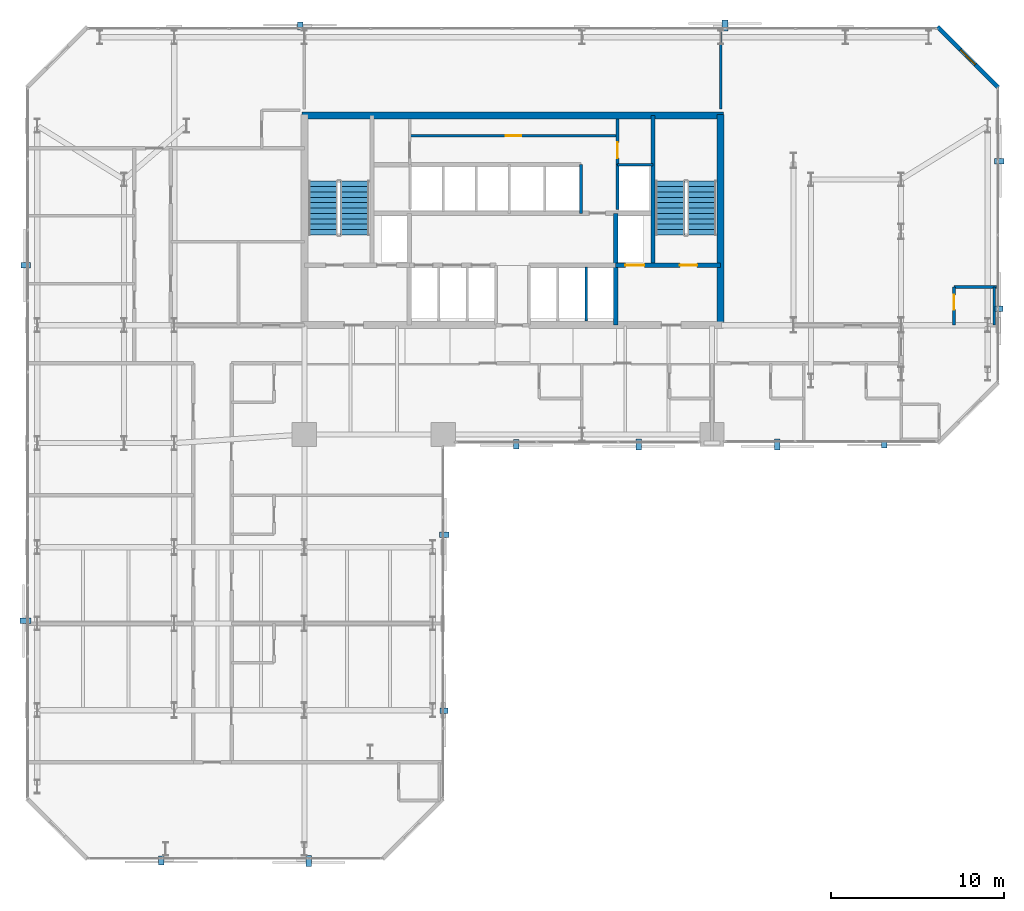
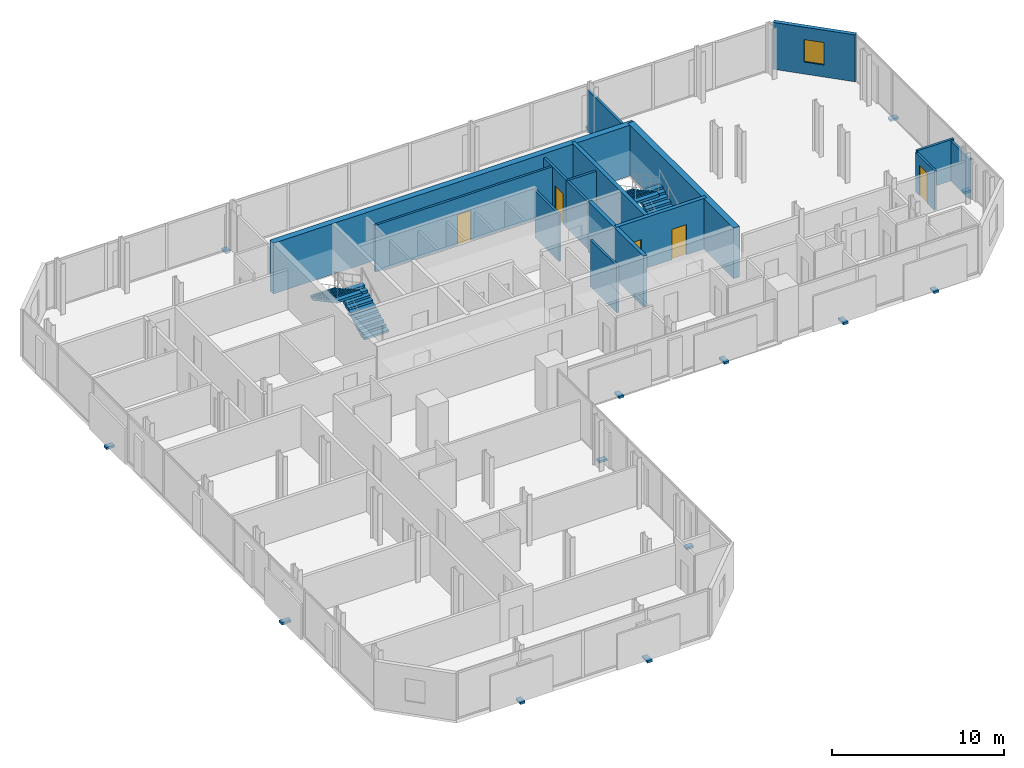
# One storey, part 30 of 32: 16 walls, 14 discrete accessories, 5 doors, 4 stair flights, 1 window, 6 openings, 2 elements without a shape of their own.
"""IFC4 building model written with IfcOpenShell, lengths in metres."""

from ifc_helpers import new_model, si_unit, direction, frame, frame_2d, origin, origin_2d, place, context, subcontext, project, spatial, polyline, rectangle, outline, extrude, material, layer, layer_set, type_object, element, fill, aggregate, save


model = new_model("IFC4")

# Units and contexts
model_context = context("Model", 3, precision=1e-05, world=origin(), true_north=direction((0.0, 1.0)))
body_context = subcontext(model_context, "Body", "Model", "MODEL_VIEW")
ifc_project = project(units=[si_unit("LENGTHUNIT", "METRE"), si_unit("AREAUNIT", "SQUARE_METRE"), si_unit("VOLUMEUNIT", "CUBIC_METRE"), si_unit("PLANEANGLEUNIT", "RADIAN"), si_unit("MASSUNIT", "GRAM", prefix="KILO")], contexts=[model_context])

# Site, building, storey
site_placement = place(None, origin())
site = spatial("IfcSite", under=ifc_project, at=site_placement, CompositionType="ELEMENT")
building_placement = place(site_placement, origin())
building = spatial("IfcBuilding", under=site, at=building_placement, Name="Catumbela Crestline Tower", CompositionType="ELEMENT")
storey_placement = place(building_placement, frame((0.0, 0.0, 61.8)))
storey = spatial("IfcBuildingStorey", under=building, at=storey_placement, Name="L15", CompositionType="ELEMENT", Elevation=61.8)

# Walls
ifc_material_1 = material(Name="Concrete C50/60", Category="concrete")
ifc_layer_1 = layer(ifc_material_1, 0.25, Name="Concrete C50/60")
ifc_layer_set_1 = layer_set([ifc_layer_1], Name="Concrete C50/60")
wall_type_1 = type_object("IfcWallType", Name="CW-250D", PredefinedType="SHEAR", material=ifc_layer_set_1)
wall_1_placement = place(storey_placement, frame((36.1, 34.25, 0.0), z_axis=(0.0, 0.0, 1.0), x_axis=(0.0, 1.0, 0.0)))
element("IfcWall", 1, at=wall_1_placement, inside=storey, type_object=wall_type_1, Name="L15 Structural Core Shear Wall EWEB", PredefinedType="SHEAR", context=body_context, shape_type="SweptSolid", body=[
    extrude(rectangle(XDim=8.65, YDim=0.25, at=frame_2d((4.325, 0.0))), origin(), (0.0, 0.0, 1.0), 3.6),
])
wall_2_placement = place(storey_placement, frame((33.95, 30.8, 0.0), z_axis=(0.0, 0.0, 1.0), x_axis=(0.0, 1.0, 0.0)))
element("IfcWall", 2, at=wall_2_placement, inside=storey, type_object=wall_type_1, Name="L15 Structural Core Shear Wall FFE", PredefinedType="SHEAR", context=body_context, shape_type="SweptSolid", body=[
    extrude(rectangle(XDim=6.45, YDim=0.25, at=frame_2d((3.225, 0.0))), origin(), (0.0, 0.0, 1.0), 3.6),
])

# Wall, openings, doors
wall_3_placement = place(storey_placement, frame((33.95, 34.25, 0.0), z_axis=(0.0, 0.0, 1.0), x_axis=(1.0, 0.0, 0.0)))
wall_3 = element("IfcWall", 3, at=wall_3_placement, inside=storey, type_object=wall_type_1, Name="L15 Structural Core Shear Wall ST2S", PredefinedType="SHEAR", context=body_context, shape_type="SweptSolid", body=[
    extrude(rectangle(XDim=6.05, YDim=0.25, at=frame_2d((3.025, 0.0))), origin(), (0.0, 0.0, 1.0), 3.6),
])
opening_1_placement = place(wall_3_placement, frame((3.7, 0.0, 0.0)))
opening_1 = element("IfcOpeningElement", 4, at=opening_1_placement, cuts=wall_3, Name="Opening DF9-100", PredefinedType="OPENING", context=body_context, shape_type="SweptSolid", body=[
    extrude(rectangle(XDim=1.0, YDim=2.15, at=frame_2d((0.5, 1.075))), frame((0.0, 0.135, 0.0), z_axis=(0.0, -1.0, 0.0), x_axis=(1.0, 0.0, 0.0)), (0.0, 0.0, 1.0), 0.27),
])
opening_2_placement = place(wall_3_placement, frame((0.55, 0.0, 0.0)))
opening_2 = element("IfcOpeningElement", 5, at=opening_2_placement, cuts=wall_3, Name="Opening LD-110", PredefinedType="OPENING", context=body_context, shape_type="SweptSolid", body=[
    extrude(rectangle(XDim=1.1, YDim=2.15, at=frame_2d((0.55, 1.075))), frame((0.0, 0.135, 0.0), z_axis=(0.0, -1.0, 0.0), x_axis=(1.0, 0.0, 0.0)), (0.0, 0.0, 1.0), 0.27),
])
ifc_material_2 = material(Name="Stainless steel EN 1.4401", Category="steel")
door_type_1 = type_object("IfcDoorType", Name="DF9-100", OperationType="NOTDEFINED", PredefinedType="DOOR", material=ifc_material_2)
door_1_placement = place(opening_1_placement, origin())
door_1 = element("IfcDoor", 6, at=door_1_placement, inside=storey, type_object=door_type_1, Name="L15 Interior Door DR-L15-ST02", OperationType="SINGLE_SWING_RIGHT", OverallHeight=2.15, OverallWidth=1.0, PredefinedType="DOOR", context=body_context, shape_type="SweptSolid", body=[
    extrude(rectangle(XDim=1.0, YDim=2.15, at=frame_2d((0.5, 1.075))), frame((0.0, 0.025, 0.0), z_axis=(0.0, -1.0, 0.0), x_axis=(1.0, 0.0, 0.0)), (0.0, 0.0, 1.0), 0.05),
])
fill(opening_1, door_1)
door_type_2 = type_object("IfcDoorType", Name="LD-110", OperationType="NOTDEFINED", PredefinedType="DOOR", material=ifc_material_2)
door_2_placement = place(opening_2_placement, origin())
door_2 = element("IfcDoor", 7, at=door_2_placement, inside=storey, type_object=door_type_2, Name="L15 Lift Landing Sliding Door FL-02", OperationType="DOUBLE_DOOR_SLIDING", OverallHeight=2.15, OverallWidth=1.1, PredefinedType="DOOR", context=body_context, shape_type="SweptSolid", body=[
    extrude(rectangle(XDim=1.1, YDim=2.15, at=frame_2d((0.55, 1.075))), frame((0.0, 0.025, 0.0), z_axis=(0.0, -1.0, 0.0), x_axis=(1.0, 0.0, 0.0)), (0.0, 0.0, 1.0), 0.05),
])
fill(opening_2, door_2)

# Walls
ifc_material_3 = material(Name="Concrete C60/75", Category="concrete")
ifc_layer_2 = layer(ifc_material_3, 0.4, Name="Concrete C60/75")
ifc_layer_set_2 = layer_set([ifc_layer_2], Name="Concrete C60/75")
wall_type_2 = type_object("IfcWallType", Name="CW-400A", PredefinedType="SHEAR", material=ifc_layer_set_2)
wall_4_placement = place(storey_placement, frame((40.0, 30.65, 0.0), z_axis=(0.0, 0.0, 1.0), x_axis=(0.0, 1.0, 0.0)))
element("IfcWall", 8, at=wall_4_placement, inside=storey, type_object=wall_type_2, Name="L15 Structural Core Shear Wall E", PredefinedType="SHEAR", context=body_context, shape_type="SweptSolid", body=[
    extrude(rectangle(XDim=12.3, YDim=0.4, at=frame_2d((6.15, 0.0))), origin(), (0.0, 0.0, 1.0), 3.6),
])
wall_5_placement = place(storey_placement, frame((15.85, 42.9, 0.0), z_axis=(0.0, 0.0, 1.0), x_axis=(1.0, 0.0, 0.0)))
element("IfcWall", 9, at=wall_5_placement, inside=storey, type_object=wall_type_2, Name="L15 Structural Core Shear Wall N", PredefinedType="SHEAR", context=body_context, shape_type="SweptSolid", body=[
    extrude(rectangle(XDim=24.3, YDim=0.4, at=frame_2d((12.15, 0.0))), origin(), (0.0, 0.0, 1.0), 3.6),
])

# Wall, opening, window
ifc_material_4 = material(Name="Angolan grey-ochre granite", Category="masonry")
ifc_layer_3 = layer(ifc_material_4, 0.25, Name="Angolan grey-ochre granite")
ifc_layer_set_3 = layer_set([ifc_layer_3], Name="Angolan grey-ochre granite")
wall_type_3 = type_object("IfcWallType", Name="WE-250", PredefinedType="STANDARD", material=ifc_layer_set_3)
wall_6_placement = place(storey_placement, frame((56.0, 44.5, 0.0), z_axis=(0.0, 0.0, 1.0), x_axis=(-0.707106781187, 0.707106781187, 0.0)))
wall_6 = element("IfcWall", 10, at=wall_6_placement, inside=storey, type_object=wall_type_3, Name="L15 Granite Punched Window Wall 6-1", PredefinedType="STANDARD", context=body_context, shape_type="SweptSolid", body=[
    extrude(rectangle(XDim=4.9497, YDim=0.25, at=frame_2d((2.4748, 0.0))), origin(), (0.0, 0.0, 1.0), 3.33),
])
opening_3_placement = place(wall_6_placement, frame((1.8748, 0.0, 0.85)))
opening_3 = element("IfcOpeningElement", 11, at=opening_3_placement, cuts=wall_6, Name="Opening WN-02", PredefinedType="OPENING", context=body_context, shape_type="SweptSolid", body=[
    extrude(rectangle(XDim=1.2, YDim=1.6, at=frame_2d((0.6, 0.8))), frame((0.0, 0.135, 0.0), z_axis=(0.0, -1.0, 0.0), x_axis=(1.0, 0.0, 0.0)), (0.0, 0.0, 1.0), 0.27),
])
ifc_material_5 = material(Name="Low-E laminated solar-control double glazing", Category="glass")
window_type = type_object("IfcWindowType", Name="WO-1200", PartitioningType="SINGLE_PANEL", PredefinedType="WINDOW", material=ifc_material_5)
window_placement = place(opening_3_placement, origin())
window = element("IfcWindow", 12, at=window_placement, inside=storey, type_object=window_type, Name="L15 Facade Vision Window 100", OverallHeight=1.6, OverallWidth=1.2, PartitioningType="SINGLE_PANEL", PredefinedType="WINDOW", context=body_context, shape_type="SweptSolid", body=[
    extrude(rectangle(XDim=1.2, YDim=1.6, at=frame_2d((0.6, 0.8))), frame((0.0, 0.03, 0.0), z_axis=(0.0, -1.0, 0.0), x_axis=(1.0, 0.0, 0.0)), (0.0, 0.0, 1.0), 0.06),
])
fill(opening_3, window)

# Wall
ifc_material_6 = material(Name="Acoustic gypsum and mineral-wool partition")
ifc_layer_4 = layer(ifc_material_6, 0.15, Name="Acoustic gypsum and mineral-wool partition")
ifc_layer_set_4 = layer_set([ifc_layer_4], Name="Acoustic gypsum and mineral-wool partition")
wall_type_4 = type_object("IfcWallType", Name="WP-150", PredefinedType="PARTITIONING", material=ifc_layer_set_4)
wall_7_placement = place(storey_placement, frame((34.05, 40.05, 0.0), z_axis=(0.0, 0.0, 1.0), x_axis=(1.0, 0.0, 0.0)))
element("IfcWall", 13, at=wall_7_placement, inside=storey, type_object=wall_type_4, Name="L15 Interior Partition PW-L15-CR-ES", PredefinedType="PARTITIONING", context=body_context, shape_type="SweptSolid", body=[
    extrude(rectangle(XDim=2.05, YDim=0.15, at=frame_2d((1.025, 0.0))), origin(), (0.0, 0.0, 1.0), 3.33),
])

# Wall, opening, door
wall_8_placement = place(storey_placement, frame((34.05, 40.05, 0.0), z_axis=(0.0, 0.0, 1.0), x_axis=(0.0, 1.0, 0.0)))
wall_8 = element("IfcWall", 14, at=wall_8_placement, inside=storey, type_object=wall_type_4, Name="L15 Interior Partition PW-L15-CR-EW", PredefinedType="PARTITIONING", context=body_context, shape_type="SweptSolid", body=[
    extrude(rectangle(XDim=2.63, YDim=0.15, at=frame_2d((1.315, 0.0))), origin(), (0.0, 0.0, 1.0), 3.33),
])
opening_4_placement = place(wall_8_placement, frame((0.385, 0.0, 0.0)))
opening_4 = element("IfcOpeningElement", 15, at=opening_4_placement, cuts=wall_8, Name="Opening DF9-090", PredefinedType="OPENING", context=body_context, shape_type="SweptSolid", body=[
    extrude(rectangle(XDim=0.9, YDim=2.15, at=frame_2d((0.45, 1.075))), frame((0.0, 0.085, 0.0), z_axis=(0.0, -1.0, 0.0), x_axis=(1.0, 0.0, 0.0)), (0.0, 0.0, 1.0), 0.17),
])
door_type_3 = type_object("IfcDoorType", Name="DF9-090", OperationType="NOTDEFINED", PredefinedType="DOOR", material=ifc_material_2)
door_3_placement = place(opening_4_placement, origin())
door_3 = element("IfcDoor", 16, at=door_3_placement, inside=storey, type_object=door_type_3, Name="L15 Interior Door DR-L15-CREAST", OperationType="SINGLE_SWING_RIGHT", OverallHeight=2.15, OverallWidth=0.9, PredefinedType="DOOR", context=body_context, shape_type="SweptSolid", body=[
    extrude(rectangle(XDim=0.9, YDim=2.15, at=frame_2d((0.45, 1.075))), frame((0.0, 0.025, 0.0), z_axis=(0.0, -1.0, 0.0), x_axis=(1.0, 0.0, 0.0)), (0.0, 0.0, 1.0), 0.05),
])
fill(opening_4, door_3)

wall_9_placement = place(storey_placement, frame((22.08, 41.72, 0.0), z_axis=(0.0, 0.0, 1.0), x_axis=(1.0, 0.0, 0.0)))
wall_9 = element("IfcWall", 17, at=wall_9_placement, inside=storey, type_object=wall_type_4, Name="L15 Interior Partition PW-L15-CR-MID", PredefinedType="PARTITIONING", context=body_context, shape_type="SweptSolid", body=[
    extrude(rectangle(XDim=11.97, YDim=0.15, at=frame_2d((5.985, 0.0))), origin(), (0.0, 0.0, 1.0), 3.33),
])
opening_5_placement = place(wall_9_placement, frame((5.535, 0.0, 0.0)))
opening_5 = element("IfcOpeningElement", 18, at=opening_5_placement, cuts=wall_9, Name="Opening DF9-090", PredefinedType="OPENING", context=body_context, shape_type="SweptSolid", body=[
    extrude(rectangle(XDim=0.9, YDim=2.15, at=frame_2d((0.45, 1.075))), frame((0.0, 0.085, 0.0), z_axis=(0.0, -1.0, 0.0), x_axis=(1.0, 0.0, 0.0)), (0.0, 0.0, 1.0), 0.17),
])
door_4_placement = place(opening_5_placement, origin())
door_4 = element("IfcDoor", 19, at=door_4_placement, inside=storey, type_object=door_type_3, Name="L15 Interior Door DR-L15-CRMID", OperationType="SINGLE_SWING_LEFT", OverallHeight=2.15, OverallWidth=0.9, PredefinedType="DOOR", context=body_context, shape_type="SweptSolid", body=[
    extrude(rectangle(XDim=0.9, YDim=2.15, at=frame_2d((0.45, 1.075))), frame((0.0, 0.025, 0.0), z_axis=(0.0, -1.0, 0.0), x_axis=(1.0, 0.0, 0.0)), (0.0, 0.0, 1.0), 0.05),
])
fill(opening_5, door_4)

# Walls
wall_10_placement = place(storey_placement, frame((40.0, 43.27, 0.0), z_axis=(0.0, 0.0, 1.0), x_axis=(0.0, 1.0, 0.0)))
element("IfcWall", 20, at=wall_10_placement, inside=storey, type_object=wall_type_4, Name="L15 Interior Partition PW-L15-NCF-E", PredefinedType="PARTITIONING", context=body_context, shape_type="SweptSolid", body=[
    extrude(rectangle(XDim=4.63, YDim=0.15, at=frame_2d((2.315, 0.0))), origin(), (0.0, 0.0, 1.0), 2.93),
])
wall_11_placement = place(storey_placement, frame((53.45, 33.0, 0.0), z_axis=(0.0, 0.0, 1.0), x_axis=(1.0, 0.0, 0.0)))
element("IfcWall", 21, at=wall_11_placement, inside=storey, type_object=wall_type_4, Name="L15 Interior Partition PW-L15-NES-BHW", PredefinedType="PARTITIONING", context=body_context, shape_type="SweptSolid", body=[
    extrude(rectangle(XDim=2.45, YDim=0.15, at=frame_2d((1.225, 0.0))), origin(), (0.0, 0.0, 1.0), 2.93),
])

# Wall, opening, door
wall_12_placement = place(storey_placement, frame((53.45, 30.8, 0.0), z_axis=(0.0, 0.0, 1.0), x_axis=(0.0, 1.0, 0.0)))
wall_12 = element("IfcWall", 22, at=wall_12_placement, inside=storey, type_object=wall_type_4, Name="L15 Interior Partition PW-L15-NES-BWW", PredefinedType="PARTITIONING", context=body_context, shape_type="SweptSolid", body=[
    extrude(rectangle(XDim=2.2, YDim=0.15, at=frame_2d((1.1, 0.0))), origin(), (0.0, 0.0, 1.0), 2.82),
])
opening_6_placement = place(wall_12_placement, frame((0.8925, 0.0, 0.0)))
opening_6 = element("IfcOpeningElement", 23, at=opening_6_placement, cuts=wall_12, Name="Opening DI-085", PredefinedType="OPENING", context=body_context, shape_type="SweptSolid", body=[
    extrude(rectangle(XDim=0.85, YDim=2.15, at=frame_2d((0.425, 1.075))), frame((0.0, 0.085, 0.0), z_axis=(0.0, -1.0, 0.0), x_axis=(1.0, 0.0, 0.0)), (0.0, 0.0, 1.0), 0.17),
])
ifc_material_7 = material(Name="Aluminium alloy AW-6060-T66", Category="aluminium")
door_type_4 = type_object("IfcDoorType", Name="DI-085", OperationType="NOTDEFINED", PredefinedType="DOOR", material=ifc_material_7)
door_5_placement = place(opening_6_placement, origin())
door_5 = element("IfcDoor", 24, at=door_5_placement, inside=storey, type_object=door_type_4, Name="L15 Interior Door DR-L15-NES-BTH", OperationType="SINGLE_SWING_RIGHT", OverallHeight=2.15, OverallWidth=0.85, PredefinedType="DOOR", context=body_context, shape_type="SweptSolid", body=[
    extrude(rectangle(XDim=0.85, YDim=2.15, at=frame_2d((0.425, 1.075))), frame((0.0, 0.025, 0.0), z_axis=(0.0, -1.0, 0.0), x_axis=(1.0, 0.0, 0.0)), (0.0, 0.0, 1.0), 0.05),
])
fill(opening_6, door_5)

# Walls
wall_13_placement = place(storey_placement, frame((55.78, 33.0, 0.0), z_axis=(0.0, 0.0, 1.0), x_axis=(0.0, -1.0, 0.0)))
element("IfcWall", 25, at=wall_13_placement, inside=storey, type_object=wall_type_4, Name="L15 Interior Partition PW-L15-NES-BCL-2", PredefinedType="PARTITIONING", context=body_context, shape_type="SweptSolid", body=[
    extrude(rectangle(XDim=2.2, YDim=0.15, at=frame_2d((1.1, 0.0))), origin(), (0.0, 0.0, 1.0), 2.82),
])
ifc_layer_5 = layer(ifc_material_6, 0.15, Name="Acoustic gypsum and mineral-wool partition")
ifc_layer_set_5 = layer_set([ifc_layer_5], Name="Acoustic gypsum and mineral-wool partition")
wall_type_5 = type_object("IfcWallType", Name="WS-150", PredefinedType="PLUMBINGWALL", material=ifc_layer_set_5)
wall_14_placement = place(storey_placement, frame((32.25, 31.05, 0.0), z_axis=(0.0, 0.0, 1.0), x_axis=(0.0, 1.0, 0.0)))
element("IfcWall", 26, at=wall_14_placement, inside=storey, type_object=wall_type_5, Name="L15 Interior Partition PW-L15-SHM2", PredefinedType="PLUMBINGWALL", context=body_context, shape_type="SweptSolid", body=[
    extrude(rectangle(XDim=3.1, YDim=0.15, at=frame_2d((1.55, 0.0))), origin(), (0.0, 0.0, 1.0), 3.33),
])
wall_15_placement = place(storey_placement, frame((31.95, 37.25, 0.0), z_axis=(0.0, 0.0, 1.0), x_axis=(0.0, 1.0, 0.0)))
element("IfcWall", 27, at=wall_15_placement, inside=storey, type_object=wall_type_5, Name="L15 Interior Partition PW-L15-SHEX2E", PredefinedType="PLUMBINGWALL", context=body_context, shape_type="SweptSolid", body=[
    extrude(rectangle(XDim=2.8, YDim=0.15, at=frame_2d((1.4, 0.0))), origin(), (0.0, 0.0, 1.0), 3.33),
])
wall_16_placement = place(storey_placement, frame((34.05, 37.4734, 0.0), z_axis=(0.0, 0.0, 1.0), x_axis=(0.0, 1.0, 0.0)))
element("IfcWall", 28, at=wall_16_placement, inside=storey, type_object=wall_type_5, Name="L15 Interior Partition PW-L15-RISW", PredefinedType="PLUMBINGWALL", context=body_context, shape_type="SweptSolid", body=[
    extrude(rectangle(XDim=2.5766, YDim=0.15, at=frame_2d((1.2883, 0.0))), origin(), (0.0, 0.0, 1.0), 3.33),
])

# Stair, stair flights
ifc_material_8 = material(Name="Concrete C45/55", Category="concrete")
stair_type = type_object("IfcStairType", Name="ST-DLG", PredefinedType="HALF_TURN_STAIR", material=ifc_material_8)
stair_1_placement = place(storey_placement, origin())
stair_1 = element("IfcStair", 29, at=stair_1_placement, inside=storey, type_object=stair_type, Name="L15 West Core Pressurised Exit Stair ST-01", PredefinedType="HALF_TURN_STAIR")
stair_flight_type = type_object("IfcStairFlightType", Name="SF-1636", PredefinedType="STRAIGHT", material=ifc_material_8)
stair_flight_1_placement = place(storey_placement, frame((18.92, 36.0, 0.0), z_axis=(0.0, 0.0, 1.0), x_axis=(0.0, 1.0, 0.0)))
stair_flight_1 = element("IfcStairFlight", 30, at=stair_flight_1_placement, type_object=stair_flight_type, Name="ST-01 flight 1", NumberOfRisers=11, NumberOfTreads=10, PredefinedType="STRAIGHT", RiserHeight=0.163636364, TreadLength=0.31, context=body_context, shape_type="SweptSolid", body=[
    extrude(outline(polyline([(0.0, 0.0), (0.0, 0.1636), (0.31, 0.1636), (0.31, 0.3273), (0.62, 0.3273), (0.62, 0.4909), (0.93, 0.4909), (0.93, 0.6545), (1.24, 0.6545), (1.24, 0.8182), (1.55, 0.8182), (1.55, 0.9818), (1.86, 0.9818), (1.86, 1.1455), (2.17, 1.1455), (2.17, 1.3091), (2.48, 1.3091), (2.48, 1.4727), (2.79, 1.4727), (2.79, 1.6364), (3.1, 1.6364), (3.1, 1.8), (3.1, 1.4554), (0.3427, 0.0), (0.0, 0.0)])), frame((0.0, 0.83, 0.0), z_axis=(0.0, -1.0, 0.0), x_axis=(1.0, 0.0, 0.0)), (0.0, 0.0, 1.0), 1.66),
])
stair_flight_2_placement = place(storey_placement, frame((17.08, 39.1, 1.8), z_axis=(0.0, 0.0, 1.0), x_axis=(0.0, -1.0, 0.0)))
stair_flight_2 = element("IfcStairFlight", 31, at=stair_flight_2_placement, type_object=stair_flight_type, Name="ST-01 flight 2", NumberOfRisers=11, NumberOfTreads=10, PredefinedType="STRAIGHT", RiserHeight=0.163636364, TreadLength=0.31, context=body_context, shape_type="SweptSolid", body=[
    extrude(outline(polyline([(0.0, 0.0), (0.0, 0.1636), (0.31, 0.1636), (0.31, 0.3273), (0.62, 0.3273), (0.62, 0.4909), (0.93, 0.4909), (0.93, 0.6545), (1.24, 0.6545), (1.24, 0.8182), (1.55, 0.8182), (1.55, 0.9818), (1.86, 0.9818), (1.86, 1.1455), (2.17, 1.1455), (2.17, 1.3091), (2.48, 1.3091), (2.48, 1.4727), (2.79, 1.4727), (2.79, 1.6364), (3.1, 1.6364), (3.1, 1.8), (3.1, 1.4554), (0.3427, 0.0), (0.0, 0.0)])), frame((0.0, 0.83, 0.0), z_axis=(0.0, -1.0, 0.0), x_axis=(1.0, 0.0, 0.0)), (0.0, 0.0, 1.0), 1.66),
])
aggregate(stair_1, [stair_flight_1, stair_flight_2])

stair_2_placement = place(storey_placement, origin())
stair_2 = element("IfcStair", 32, at=stair_2_placement, inside=storey, type_object=stair_type, Name="L15 East Core Pressurised Exit Stair ST-02", PredefinedType="HALF_TURN_STAIR")
stair_flight_3_placement = place(storey_placement, frame((38.92, 36.0, 0.0), z_axis=(0.0, 0.0, 1.0), x_axis=(0.0, 1.0, 0.0)))
stair_flight_3 = element("IfcStairFlight", 33, at=stair_flight_3_placement, type_object=stair_flight_type, Name="ST-02 flight 1", NumberOfRisers=11, NumberOfTreads=10, PredefinedType="STRAIGHT", RiserHeight=0.163636364, TreadLength=0.31, context=body_context, shape_type="SweptSolid", body=[
    extrude(outline(polyline([(0.0, 0.0), (0.0, 0.1636), (0.31, 0.1636), (0.31, 0.3273), (0.62, 0.3273), (0.62, 0.4909), (0.93, 0.4909), (0.93, 0.6545), (1.24, 0.6545), (1.24, 0.8182), (1.55, 0.8182), (1.55, 0.9818), (1.86, 0.9818), (1.86, 1.1455), (2.17, 1.1455), (2.17, 1.3091), (2.48, 1.3091), (2.48, 1.4727), (2.79, 1.4727), (2.79, 1.6364), (3.1, 1.6364), (3.1, 1.8), (3.1, 1.4554), (0.3427, 0.0), (0.0, 0.0)])), frame((0.0, 0.83, 0.0), z_axis=(0.0, -1.0, 0.0), x_axis=(1.0, 0.0, 0.0)), (0.0, 0.0, 1.0), 1.66),
])
stair_flight_4_placement = place(storey_placement, frame((37.08, 39.1, 1.8), z_axis=(0.0, 0.0, 1.0), x_axis=(0.0, -1.0, 0.0)))
stair_flight_4 = element("IfcStairFlight", 34, at=stair_flight_4_placement, type_object=stair_flight_type, Name="ST-02 flight 2", NumberOfRisers=11, NumberOfTreads=10, PredefinedType="STRAIGHT", RiserHeight=0.163636364, TreadLength=0.31, context=body_context, shape_type="SweptSolid", body=[
    extrude(outline(polyline([(0.0, 0.0), (0.0, 0.1636), (0.31, 0.1636), (0.31, 0.3273), (0.62, 0.3273), (0.62, 0.4909), (0.93, 0.4909), (0.93, 0.6545), (1.24, 0.6545), (1.24, 0.8182), (1.55, 0.8182), (1.55, 0.9818), (1.86, 0.9818), (1.86, 1.1455), (2.17, 1.1455), (2.17, 1.3091), (2.48, 1.3091), (2.48, 1.4727), (2.79, 1.4727), (2.79, 1.6364), (3.1, 1.6364), (3.1, 1.8), (3.1, 1.4554), (0.3427, 0.0), (0.0, 0.0)])), frame((0.0, 0.83, 0.0), z_axis=(0.0, -1.0, 0.0), x_axis=(1.0, 0.0, 0.0)), (0.0, 0.0, 1.0), 1.66),
])
aggregate(stair_2, [stair_flight_3, stair_flight_4])

# Discrete accessories
discrete_accessory_type = type_object("IfcDiscreteAccessoryType", Name="BK-SS1", PredefinedType="BRACKET", material=ifc_material_2)
discrete_accessory_1_placement = place(storey_placement, frame((7.75, -0.065, -0.18), z_axis=(0.0, 0.0, 1.0), x_axis=(1.0, 0.0, 0.0)))
element("IfcDiscreteAccessory", 35, at=discrete_accessory_1_placement, inside=storey, type_object=discrete_accessory_type, Name="L15 Solar Screen Stainless Bracket 141", PredefinedType="BRACKET", context=body_context, shape_type="SweptSolid", body=[
    extrude(rectangle(XDim=0.32, YDim=0.54, at=origin_2d()), origin(), (0.0, 0.0, 1.0), 0.16),
])
discrete_accessory_2_placement = place(storey_placement, frame((16.25, -0.085, -0.18), z_axis=(0.0, 0.0, 1.0), x_axis=(1.0, 0.0, 0.0)))
element("IfcDiscreteAccessory", 36, at=discrete_accessory_2_placement, inside=storey, type_object=discrete_accessory_type, Name="L15 Solar Screen Stainless Bracket 142", PredefinedType="BRACKET", context=body_context, shape_type="SweptSolid", body=[
    extrude(rectangle(XDim=0.32, YDim=0.62, at=origin_2d()), origin(), (0.0, 0.0, 1.0), 0.16),
])
discrete_accessory_3_placement = place(storey_placement, frame((24.045, 8.575, -0.18), z_axis=(0.0, 0.0, 1.0), x_axis=(0.0, 1.0, 0.0)))
element("IfcDiscreteAccessory", 37, at=discrete_accessory_3_placement, inside=storey, type_object=discrete_accessory_type, Name="L15 Solar Screen Stainless Bracket 143", PredefinedType="BRACKET", context=body_context, shape_type="SweptSolid", body=[
    extrude(rectangle(XDim=0.32, YDim=0.46, at=origin_2d()), origin(), (0.0, 0.0, 1.0), 0.16),
])
for number, where, z_axis, x_axis, name in (
    (38, (24.065, 18.725, -0.18), (0.0, 0.0, 1.0), (0.0, 1.0, 0.0), "L15 Solar Screen Stainless Bracket 144"),
    (39, (28.225, 23.935, -0.18), (0.0, 0.0, 1.0), (1.0, 0.0, 0.0), "L15 Solar Screen Stainless Bracket 145"),
):
    element("IfcDiscreteAccessory", number, at=place(storey_placement, frame(where, z_axis=z_axis, x_axis=x_axis)), inside=storey, type_object=discrete_accessory_type, Name=name, PredefinedType="BRACKET", context=body_context, shape_type="SweptSolid", body=[
        extrude(rectangle(XDim=0.32, YDim=0.54, at=origin_2d()), origin(), (0.0, 0.0, 1.0), 0.16),
    ])
for number, where, z_axis, x_axis, name in (
    (40, (35.275, 23.915, -0.18), (0.0, 0.0, 1.0), (1.0, 0.0, 0.0), "L15 Solar Screen Stainless Bracket 146"),
    (41, (43.275, 23.915, -0.18), (0.0, 0.0, 1.0), (1.0, 0.0, 0.0), "L15 Solar Screen Stainless Bracket 147"),
):
    element("IfcDiscreteAccessory", number, at=place(storey_placement, frame(where, z_axis=z_axis, x_axis=x_axis)), inside=storey, type_object=discrete_accessory_type, Name=name, PredefinedType="BRACKET", context=body_context, shape_type="SweptSolid", body=[
        extrude(rectangle(XDim=0.32, YDim=0.62, at=origin_2d()), origin(), (0.0, 0.0, 1.0), 0.16),
    ])
for number, where, z_axis, x_axis, name in (
    (42, (49.425, 23.955, -0.18), (0.0, 0.0, 1.0), (1.0, 0.0, 0.0), "L15 Solar Screen Stainless Bracket 148"),
    (43, (56.045, 31.75, -0.18), (0.0, 0.0, 1.0), (0.0, 1.0, 0.0), "L15 Solar Screen Stainless Bracket 149"),
):
    element("IfcDiscreteAccessory", number, at=place(storey_placement, frame(where, z_axis=z_axis, x_axis=x_axis)), inside=storey, type_object=discrete_accessory_type, Name=name, PredefinedType="BRACKET", context=body_context, shape_type="SweptSolid", body=[
        extrude(rectangle(XDim=0.32, YDim=0.46, at=origin_2d()), origin(), (0.0, 0.0, 1.0), 0.16),
    ])
discrete_accessory_4_placement = place(storey_placement, frame((56.065, 40.25, -0.18), z_axis=(0.0, 0.0, 1.0), x_axis=(0.0, 1.0, 0.0)))
element("IfcDiscreteAccessory", 44, at=discrete_accessory_4_placement, inside=storey, type_object=discrete_accessory_type, Name="L15 Solar Screen Stainless Bracket 150", PredefinedType="BRACKET", context=body_context, shape_type="SweptSolid", body=[
    extrude(rectangle(XDim=0.32, YDim=0.54, at=origin_2d()), origin(), (0.0, 0.0, 1.0), 0.16),
])
discrete_accessory_5_placement = place(storey_placement, frame((40.25, 48.085, -0.18), z_axis=(0.0, 0.0, 1.0), x_axis=(-1.0, 0.0, 0.0)))
element("IfcDiscreteAccessory", 45, at=discrete_accessory_5_placement, inside=storey, type_object=discrete_accessory_type, Name="L15 Solar Screen Stainless Bracket 151", PredefinedType="BRACKET", context=body_context, shape_type="SweptSolid", body=[
    extrude(rectangle(XDim=0.32, YDim=0.62, at=origin_2d()), origin(), (0.0, 0.0, 1.0), 0.16),
])
discrete_accessory_6_placement = place(storey_placement, frame((15.75, 48.045, -0.18), z_axis=(0.0, 0.0, 1.0), x_axis=(-1.0, 0.0, 0.0)))
element("IfcDiscreteAccessory", 46, at=discrete_accessory_6_placement, inside=storey, type_object=discrete_accessory_type, Name="L15 Solar Screen Stainless Bracket 152", PredefinedType="BRACKET", context=body_context, shape_type="SweptSolid", body=[
    extrude(rectangle(XDim=0.32, YDim=0.46, at=origin_2d()), origin(), (0.0, 0.0, 1.0), 0.16),
])
discrete_accessory_7_placement = place(storey_placement, frame((-0.065, 34.25, -0.18), z_axis=(0.0, 0.0, 1.0), x_axis=(0.0, -1.0, 0.0)))
element("IfcDiscreteAccessory", 47, at=discrete_accessory_7_placement, inside=storey, type_object=discrete_accessory_type, Name="L15 Solar Screen Stainless Bracket 153", PredefinedType="BRACKET", context=body_context, shape_type="SweptSolid", body=[
    extrude(rectangle(XDim=0.32, YDim=0.54, at=origin_2d()), origin(), (0.0, 0.0, 1.0), 0.16),
])
discrete_accessory_8_placement = place(storey_placement, frame((-0.085, 13.75, -0.18), z_axis=(0.0, 0.0, 1.0), x_axis=(0.0, -1.0, 0.0)))
element("IfcDiscreteAccessory", 48, at=discrete_accessory_8_placement, inside=storey, type_object=discrete_accessory_type, Name="L15 Solar Screen Stainless Bracket 154", PredefinedType="BRACKET", context=body_context, shape_type="SweptSolid", body=[
    extrude(rectangle(XDim=0.32, YDim=0.62, at=origin_2d()), origin(), (0.0, 0.0, 1.0), 0.16),
])

save(model, "model.ifc")
